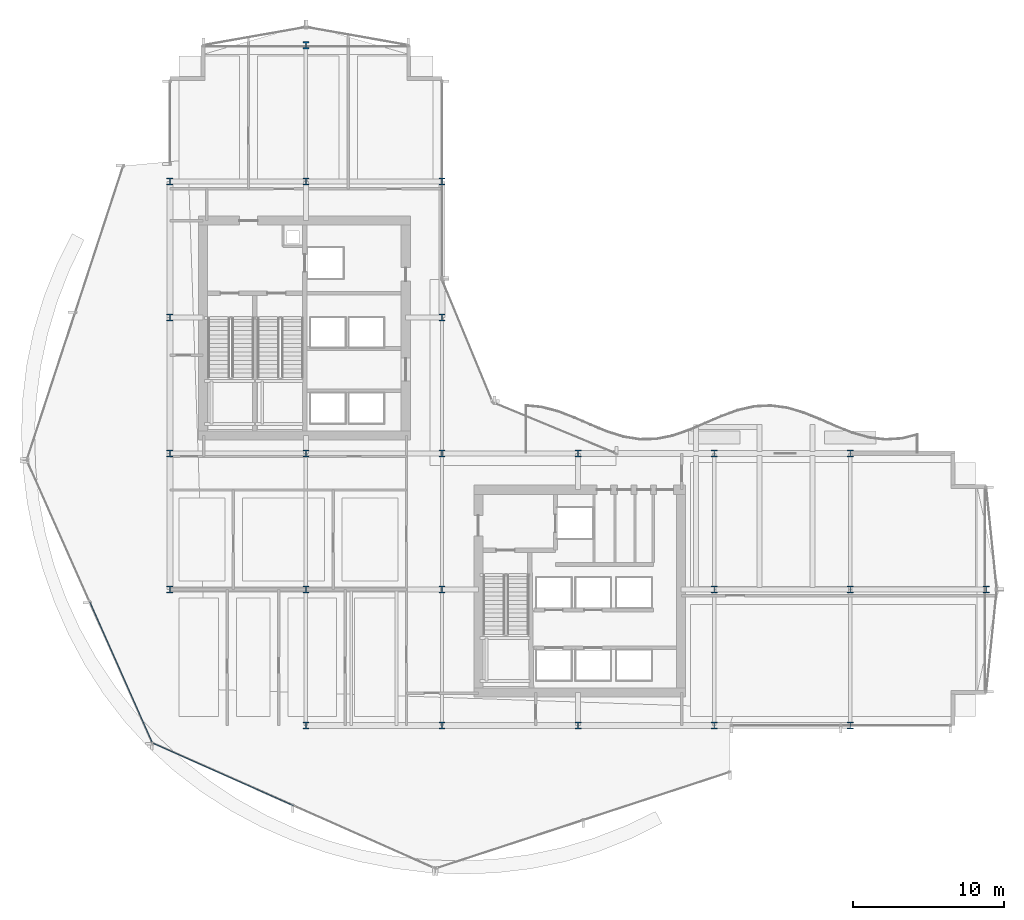
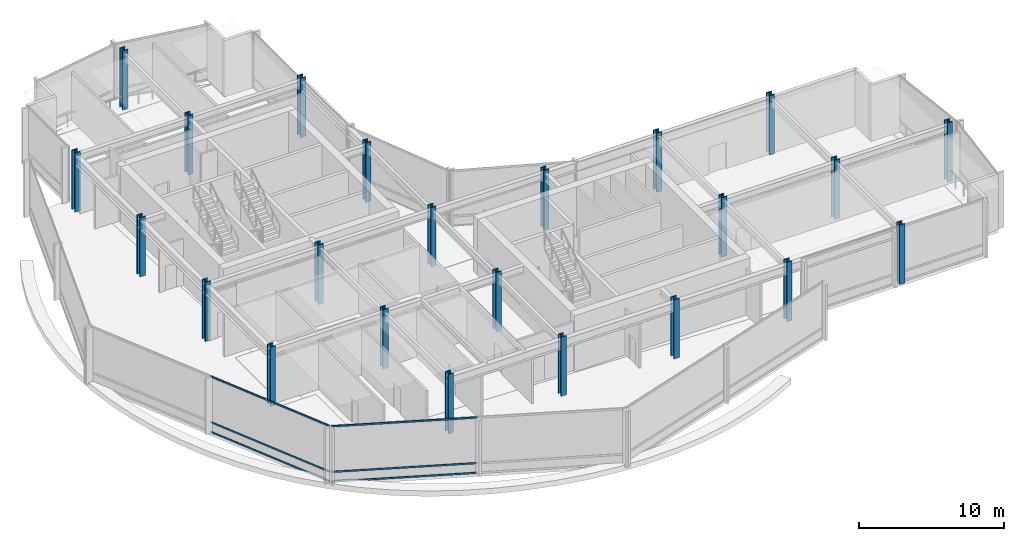
# One storey, part 1 of 39: 23 columns, 6 members, 2 elements without a shape of their own.
"""IFC4 building model written with IfcOpenShell, lengths in metres."""

from ifc_helpers import new_model, si_unit, direction, frame, origin, origin_2d, place, context, subcontext, project, spatial, hollow_rectangle, i_section, extrude, material, layer, layer_set, material_profile, profile_set, type_object, element, aggregate, save


model = new_model("IFC4")

# Units and contexts
model_context = context("Model", 3, precision=1e-05, world=origin(), true_north=direction((0.0, 1.0)))
body_context = subcontext(model_context, "Body", "Model", "MODEL_VIEW")
ifc_project = project(units=[si_unit("LENGTHUNIT", "METRE"), si_unit("AREAUNIT", "SQUARE_METRE"), si_unit("VOLUMEUNIT", "CUBIC_METRE"), si_unit("PLANEANGLEUNIT", "RADIAN"), si_unit("MASSUNIT", "GRAM", prefix="KILO")], contexts=[model_context])

# Site, building, storey
site_placement = place(None, origin())
site = spatial("IfcSite", under=ifc_project, at=site_placement, CompositionType="ELEMENT")
building_placement = place(site_placement, origin())
building = spatial("IfcBuilding", under=site, at=building_placement, Name="Solvaryn Broadcast Tower", CompositionType="ELEMENT")
storey_placement = place(building_placement, frame((0.0, 0.0, 84.10009765625)))
storey = spatial("IfcBuildingStorey", under=building, at=storey_placement, Name="L20", CompositionType="ELEMENT", Elevation=84.10009765625)

# Columns
ifc_material_1 = material(Name="Steel ASTM A913 Grade 65", Category="steel")
ifc_material_profile_1 = material_profile(ifc_material_1, i_section(OverallWidth=0.424072265625, OverallDepth=0.47412109375, WebThickness=0.047607421875, FlangeThickness=0.0771484375, FilletRadius=0.014892578125, at=origin_2d()))
ifc_profile_set_1 = profile_set([ifc_material_profile_1], Name="Steel ASTM A913 Grade 65")
column_type_1 = type_object("IfcColumnType", Name="COL-C04E-W14X426", PredefinedType="COLUMN", material=ifc_profile_set_1)
for number, where, z_axis, x_axis, name in (
    (1, (9.0, 18.0, 0.0), (0.0, 0.0, 1.0), (1.0, 0.0, 0.0), "L20 Column (9.0, 18.0)"),
    (2, (9.0, 27.0, 0.0), (0.0, 0.0, 1.0), (1.0, 0.0, 0.0), "L20 Column (9.0, 27.0)"),
    (3, (9.0, 36.0, 0.0), (0.0, 0.0, 1.0), (1.0, 0.0, 0.0), "L20 Column (9.0, 36.0)"),
    (4, (9.0, 45.0, 0.0), (0.0, 0.0, 1.0), (1.0, 0.0, 0.0), "L20 Column (9.0, 45.0)"),
    (5, (18.0, 9.0, 0.0), (0.0, 0.0, 1.0), (1.0, 0.0, 0.0), "L20 Column (18.0, 9.0)"),
    (6, (18.0, 54.0, 0.0), (0.0, 0.0, 1.0), (1.0, 0.0, 0.0), "L20 Column (18.0, 54.0)"),
    (7, (27.0, 9.0, 0.0), (0.0, 0.0, 1.0), (1.0, 0.0, 0.0), "L20 Column (27.0, 9.0)"),
    (8, (27.0, 36.0, 0.0), (0.0, 0.0, 1.0), (1.0, 0.0, 0.0), "L20 Column (27.0, 36.0)"),
    (9, (27.0, 45.0, 0.0), (0.0, 0.0, 1.0), (1.0, 0.0, 0.0), "L20 Column (27.0, 45.0)"),
    (10, (36.0, 9.0, 0.0), (0.0, 0.0, 1.0), (1.0, 0.0, 0.0), "L20 Column (36.0, 9.0)"),
    (11, (36.0, 27.0, 0.0), (0.0, 0.0, 1.0), (1.0, 0.0, 0.0), "L20 Column (36.0, 27.0)"),
    (12, (45.0, 9.0, 0.0), (0.0, 0.0, 1.0), (1.0, 0.0, 0.0), "L20 Column (45.0, 9.0)"),
    (13, (45.0, 27.0, 0.0), (0.0, 0.0, 1.0), (1.0, 0.0, 0.0), "L20 Column (45.0, 27.0)"),
    (14, (54.0, 9.0, 0.0), (0.0, 0.0, 1.0), (1.0, 0.0, 0.0), "L20 Column (54.0, 9.0)"),
    (15, (54.0, 27.0, 0.0), (0.0, 0.0, 1.0), (1.0, 0.0, 0.0), "L20 Column (54.0, 27.0)"),
    (16, (63.0, 18.0, 0.0), (0.0, 0.0, 1.0), (1.0, 0.0, 0.0), "L20 Column (63.0, 18.0)"),
):
    element("IfcColumn", number, at=place(storey_placement, frame(where, z_axis=z_axis, x_axis=x_axis)), inside=storey, type_object=column_type_1, Name=name, PredefinedType="COLUMN", context=body_context, shape_type="SweptSolid", body=[
        extrude(i_section(OverallWidth=0.424072265625, OverallDepth=0.47412109375, WebThickness=0.047607421875, FlangeThickness=0.0771484375, FilletRadius=0.014892578125, at=origin_2d()), origin(), (0.0, 0.0, 1.0), 5.0),
    ])
ifc_material_2 = material(Name="Steel ASTM A913 Grade 65", Category="steel")
ifc_material_profile_2 = material_profile(ifc_material_2, i_section(OverallWidth=0.424072265625, OverallDepth=0.47412109375, WebThickness=0.047607421875, FlangeThickness=0.0771484375, FilletRadius=0.014892578125, at=origin_2d()))
ifc_profile_set_2 = profile_set([ifc_material_profile_2], Name="Steel ASTM A913 Grade 65")
column_type_2 = type_object("IfcColumnType", Name="COL-C04I-W14X426", PredefinedType="COLUMN", material=ifc_profile_set_2)
for number, where, z_axis, x_axis, name in (
    (17, (18.0, 18.0, 0.0), (0.0, 0.0, 1.0), (1.0, 0.0, 0.0), "L20 Column (18.0, 18.0)"),
    (18, (18.0, 27.0, 0.0), (0.0, 0.0, 1.0), (1.0, 0.0, 0.0), "L20 Column (18.0, 27.0)"),
    (19, (18.0, 45.0, 0.0), (0.0, 0.0, 1.0), (1.0, 0.0, 0.0), "L20 Column (18.0, 45.0)"),
    (20, (27.0, 18.0, 0.0), (0.0, 0.0, 1.0), (1.0, 0.0, 0.0), "L20 Column (27.0, 18.0)"),
    (21, (27.0, 27.0, 0.0), (0.0, 0.0, 1.0), (1.0, 0.0, 0.0), "L20 Column (27.0, 27.0)"),
    (22, (45.0, 18.0, 0.0), (0.0, 0.0, 1.0), (1.0, 0.0, 0.0), "L20 Column (45.0, 18.0)"),
    (23, (54.0, 18.0, 0.0), (0.0, 0.0, 1.0), (1.0, 0.0, 0.0), "L20 Column (54.0, 18.0)"),
):
    element("IfcColumn", number, at=place(storey_placement, frame(where, z_axis=z_axis, x_axis=x_axis)), inside=storey, type_object=column_type_2, Name=name, PredefinedType="COLUMN", context=body_context, shape_type="SweptSolid", body=[
        extrude(i_section(OverallWidth=0.424072265625, OverallDepth=0.47412109375, WebThickness=0.047607421875, FlangeThickness=0.0771484375, FilletRadius=0.014892578125, at=origin_2d()), origin(), (0.0, 0.0, 1.0), 5.0),
    ])

# Curtain wall, members
ifc_material_3 = material(Name="Aluminium and Terracotta Unitised Curtain Wall", Category="masonry")
ifc_layer = layer(ifc_material_3, 0.25)
ifc_layer_set = layer_set([ifc_layer], Name="CW-SYS4-SKYGARDEN")
curtain_wall_type = type_object("IfcCurtainWallType", Name="CW-SYS4-SKYGARDEN", PredefinedType="NOTDEFINED", material=ifc_layer_set)
curtain_wall_1_placement = place(storey_placement, origin())
curtain_wall_1 = element("IfcCurtainWall", 24, at=curtain_wall_1_placement, inside=storey, type_object=curtain_wall_type, Name="L20 Curtain Wall DR2", PredefinedType="NOTDEFINED")
ifc_material_4 = material(Name="Anodised Aluminium 6063-T6", Category="aluminium")
ifc_material_profile_3 = material_profile(ifc_material_4, hollow_rectangle(XDim=0.06494140625, YDim=0.14990234375, WallThickness=0.00390625, InnerFilletRadius=0.00390625, OuterFilletRadius=0.008056640625, at=origin_2d()))
ifc_profile_set_3 = profile_set([ifc_material_profile_3], Name="Anodised Aluminium 6063-T6")
member_type = type_object("IfcMemberType", Name="CW-TRN-150", PredefinedType="USERDEFINED", material=ifc_profile_set_3)
member_1_placement = place(storey_placement, frame((3.70361328125, 17.176025390625, 0.02978515625), z_axis=(0.40591523062, -0.913910731719, 0.0), x_axis=(0.913910731719, 0.40591523062, 0.0)))
member_1 = element("IfcMember", 25, at=member_1_placement, type_object=member_type, Name="CWS4 transom 2.1", ObjectType="TRANSOM", PredefinedType="USERDEFINED", context=body_context, shape_type="SweptSolid", body=[
    extrude(hollow_rectangle(XDim=0.06494140625, YDim=0.14990234375, WallThickness=0.00390625, InnerFilletRadius=0.00390625, OuterFilletRadius=0.008056640625, at=origin_2d()), origin(), (0.0, 0.0, 1.0), 10.147705078125),
])
member_2_placement = place(storey_placement, frame((3.70361328125, 17.176025390625, 0.849853515625), z_axis=(0.40591523062, -0.913910731719, 0.0), x_axis=(0.913910731719, 0.40591523062, 0.0)))
member_2 = element("IfcMember", 26, at=member_2_placement, type_object=member_type, Name="CWS4 transom 2.2", ObjectType="TRANSOM", PredefinedType="USERDEFINED", context=body_context, shape_type="SweptSolid", body=[
    extrude(hollow_rectangle(XDim=0.06494140625, YDim=0.14990234375, WallThickness=0.00390625, InnerFilletRadius=0.00390625, OuterFilletRadius=0.008056640625, at=origin_2d()), origin(), (0.0, 0.0, 1.0), 10.147705078125),
])
member_3_placement = place(storey_placement, frame((3.70361328125, 17.176025390625, 4.68994140625), z_axis=(0.40591523062, -0.913910731719, 0.0), x_axis=(0.913910731719, 0.40591523062, 0.0)))
member_3 = element("IfcMember", 27, at=member_3_placement, type_object=member_type, Name="CWS4 transom 2.3", ObjectType="TRANSOM", PredefinedType="USERDEFINED", context=body_context, shape_type="SweptSolid", body=[
    extrude(hollow_rectangle(XDim=0.06494140625, YDim=0.14990234375, WallThickness=0.00390625, InnerFilletRadius=0.00390625, OuterFilletRadius=0.008056640625, at=origin_2d()), origin(), (0.0, 0.0, 1.0), 10.147705078125),
])
aggregate(curtain_wall_1, [member_1, member_2, member_3])

curtain_wall_2_placement = place(storey_placement, origin())
curtain_wall_2 = element("IfcCurtainWall", 28, at=curtain_wall_2_placement, inside=storey, type_object=curtain_wall_type, Name="L20 Curtain Wall DR3", PredefinedType="NOTDEFINED")
member_4_placement = place(storey_placement, frame((7.90185546875, 7.82275390625, 0.02978515625), z_axis=(0.913910731719, -0.40591523062, 0.0), x_axis=(0.40591523062, 0.913910731719, 0.0)))
member_4 = element("IfcMember", 29, at=member_4_placement, type_object=member_type, Name="CWS4 transom 1.1", ObjectType="TRANSOM", PredefinedType="USERDEFINED", context=body_context, shape_type="SweptSolid", body=[
    extrude(hollow_rectangle(XDim=0.06494140625, YDim=0.14990234375, WallThickness=0.00390625, InnerFilletRadius=0.00390625, OuterFilletRadius=0.008056640625, at=origin_2d()), origin(), (0.0, 0.0, 1.0), 10.147705078125),
])
member_5_placement = place(storey_placement, frame((7.90185546875, 7.82275390625, 0.849853515625), z_axis=(0.913910731719, -0.40591523062, 0.0), x_axis=(0.40591523062, 0.913910731719, 0.0)))
member_5 = element("IfcMember", 30, at=member_5_placement, type_object=member_type, Name="CWS4 transom 1.2", ObjectType="TRANSOM", PredefinedType="USERDEFINED", context=body_context, shape_type="SweptSolid", body=[
    extrude(hollow_rectangle(XDim=0.06494140625, YDim=0.14990234375, WallThickness=0.00390625, InnerFilletRadius=0.00390625, OuterFilletRadius=0.008056640625, at=origin_2d()), origin(), (0.0, 0.0, 1.0), 10.147705078125),
])
member_6_placement = place(storey_placement, frame((7.90185546875, 7.82275390625, 4.68994140625), z_axis=(0.913910731719, -0.40591523062, 0.0), x_axis=(0.40591523062, 0.913910731719, 0.0)))
member_6 = element("IfcMember", 31, at=member_6_placement, type_object=member_type, Name="CWS4 transom 1.3", ObjectType="TRANSOM", PredefinedType="USERDEFINED", context=body_context, shape_type="SweptSolid", body=[
    extrude(hollow_rectangle(XDim=0.06494140625, YDim=0.14990234375, WallThickness=0.00390625, InnerFilletRadius=0.00390625, OuterFilletRadius=0.008056640625, at=origin_2d()), origin(), (0.0, 0.0, 1.0), 10.147705078125),
])
aggregate(curtain_wall_2, [member_4, member_5, member_6])

save(model, "model.ifc")
